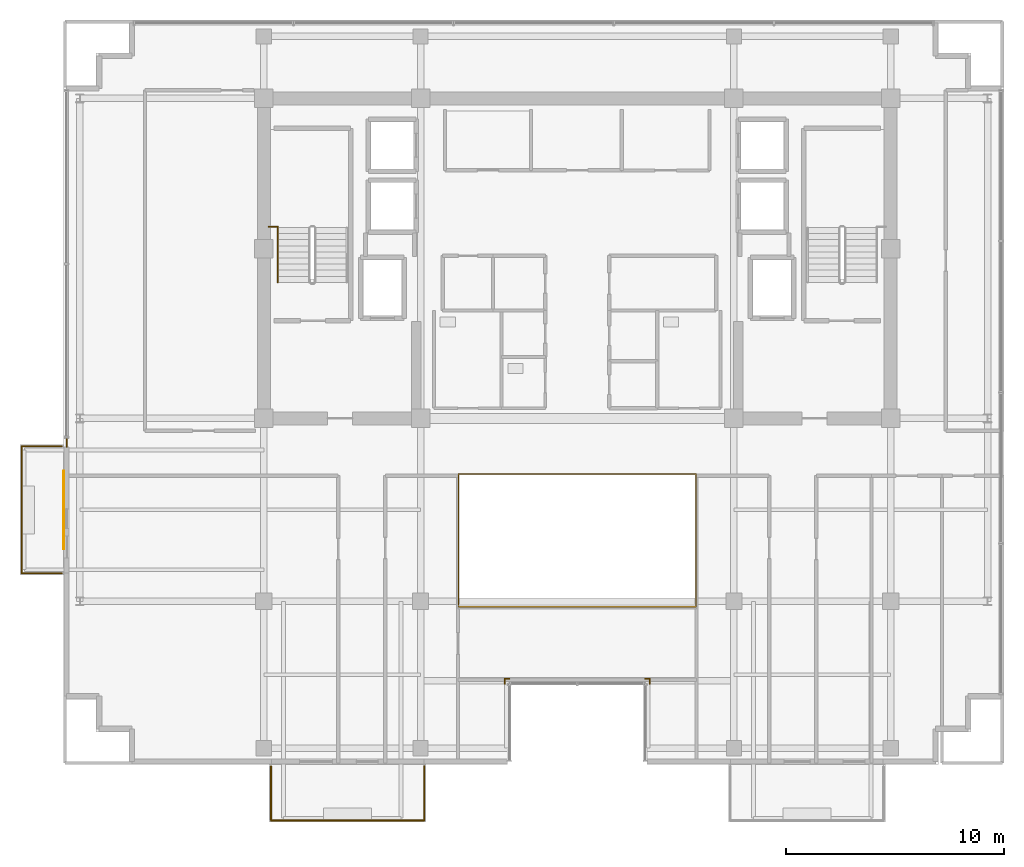
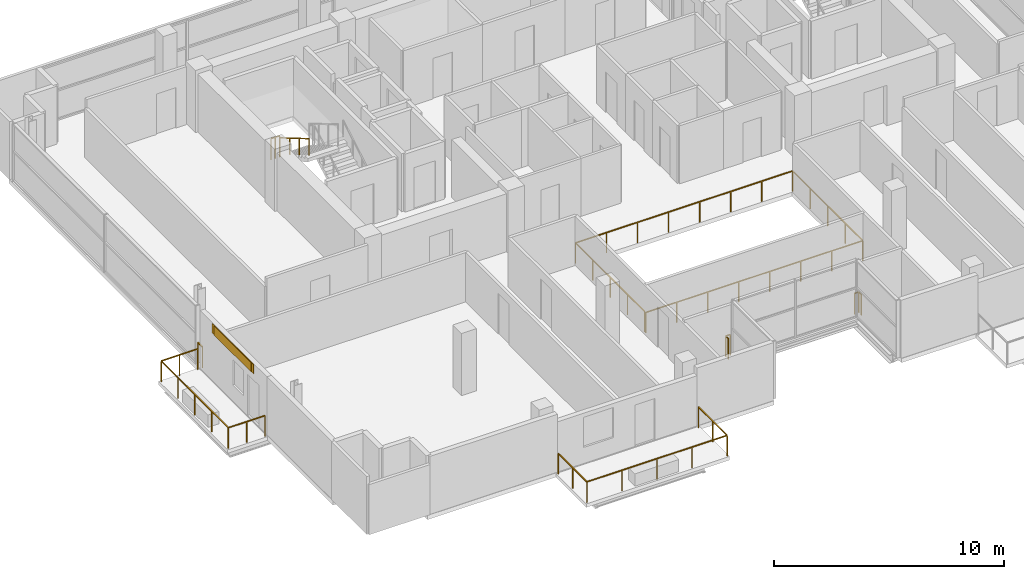
# One storey, part 19 of 22: 10 railings, 1 covering, 1 shading device.
"""IFC4 building model written with IfcOpenShell, lengths in metres."""

from ifc_helpers import new_model, si_unit, direction, frame, origin, origin_2d, place, context, subcontext, project, spatial, rectangle, extrude, source, transform, mapped, material, layer, layer_set, type_object, element, save


model = new_model("IFC4")

# Units and contexts
model_context = context("Model", 3, precision=1e-05, world=origin(), true_north=direction((0.0, 1.0)))
body_context = subcontext(model_context, "Body", "Model", "MODEL_VIEW")
ifc_project = project(units=[si_unit("LENGTHUNIT", "METRE"), si_unit("AREAUNIT", "SQUARE_METRE"), si_unit("VOLUMEUNIT", "CUBIC_METRE"), si_unit("PLANEANGLEUNIT", "RADIAN"), si_unit("MASSUNIT", "GRAM", prefix="KILO")], contexts=[model_context])

# Site, building, storey
site_placement = place(None, origin())
site = spatial("IfcSite", under=ifc_project, at=site_placement, CompositionType="ELEMENT")
building_placement = place(site_placement, origin())
building = spatial("IfcBuilding", under=site, at=building_placement, Name="Zarnakvel Exchange Tower", CompositionType="ELEMENT")
storey_placement = place(building_placement, frame((0.0, 0.0, 222.10009765625)))
storey = spatial("IfcBuildingStorey", under=building, at=storey_placement, Name="L62", CompositionType="ELEMENT", Elevation=222.10009765625)

# Railings
ifc_material_1 = material(Name="Architectural Bronze Anodised Aluminium", Category="aluminium")
railing_type_1 = type_object("IfcRailingType", Name="GR-02", PredefinedType="GUARDRAIL", material=ifc_material_1)
railing_1_placement = place(storey_placement, frame((-14.070068359375, -17.179931640625, -0.03515625)))
element("IfcRailing", 1, at=railing_1_placement, inside=storey, type_object=railing_type_1, Name="L62 Balcony Guardrail BAL-L62-SW", PredefinedType="GUARDRAIL", context=body_context, shape_type="SweptSolid", body=[
    extrude(rectangle(XDim=0.048095703125, YDim=0.048095703125, at=origin_2d()), frame((0.0, 0.0, 1.09619140625), z_axis=(0.0, -1.0, 0.0), x_axis=(1.0, 0.0, 0.0)), (0.0, 0.0, 1.0), 2.489990234375),
    extrude(rectangle(XDim=0.048095703125, YDim=0.048095703125, at=origin_2d()), frame((0.0, -2.489990234375, 1.09619140625), z_axis=(1.0, 0.0, 0.0), x_axis=(0.0, 1.0, 0.0)), (0.0, 0.0, 1.0), 7.0400390625),
    extrude(rectangle(XDim=0.048095703125, YDim=0.048095703125, at=origin_2d()), frame((7.0400390625, -2.489990234375, 1.09619140625), z_axis=(0.0, 1.0, 0.0), x_axis=(-1.0, 0.0, 0.0)), (0.0, 0.0, 1.0), 2.489990234375),
    extrude(rectangle(XDim=0.0419921875, YDim=0.0419921875, at=origin_2d()), origin(), (0.0, 0.0, 1.0), 1.072021484375),
    extrude(rectangle(XDim=0.0419921875, YDim=0.0419921875, at=origin_2d()), frame((0.0, -1.2451171875, 0.0)), (0.0, 0.0, 1.0), 1.072021484375),
    extrude(rectangle(XDim=0.0419921875, YDim=0.0419921875, at=origin_2d()), frame((0.0, -2.489990234375, 0.0)), (0.0, 0.0, 1.0), 1.072021484375),
    extrude(rectangle(XDim=0.0419921875, YDim=0.0419921875, at=origin_2d()), frame((1.760009765625, -2.489990234375, 0.0)), (0.0, 0.0, 1.0), 1.072021484375),
    extrude(rectangle(XDim=0.0419921875, YDim=0.0419921875, at=origin_2d()), frame((3.52001953125, -2.489990234375, 0.0)), (0.0, 0.0, 1.0), 1.072021484375),
    extrude(rectangle(XDim=0.0419921875, YDim=0.0419921875, at=origin_2d()), frame((5.280029296875, -2.489990234375, 0.0)), (0.0, 0.0, 1.0), 1.072021484375),
    extrude(rectangle(XDim=0.0419921875, YDim=0.0419921875, at=origin_2d()), frame((7.0400390625, -2.489990234375, 0.0)), (0.0, 0.0, 1.0), 1.072021484375),
    extrude(rectangle(XDim=0.0419921875, YDim=0.0419921875, at=origin_2d()), frame((7.0400390625, -1.2451171875, 0.0)), (0.0, 0.0, 1.0), 1.072021484375),
    extrude(rectangle(XDim=0.0419921875, YDim=0.0419921875, at=origin_2d()), frame((7.0400390625, 0.0, 0.0)), (0.0, 0.0, 1.0), 1.072021484375),
])
railing_2_placement = place(storey_placement, frame((-23.679931640625, -8.320068359375, -0.03515625)))
element("IfcRailing", 2, at=railing_2_placement, inside=storey, type_object=railing_type_1, Name="L62 Balcony Guardrail BAL-L62-W", PredefinedType="GUARDRAIL", context=body_context, shape_type="SweptSolid", body=[
    extrude(rectangle(XDim=0.048095703125, YDim=0.048095703125, at=origin_2d()), frame((0.0, 0.0, 1.09619140625), z_axis=(-1.0, 0.0, 0.0), x_axis=(0.0, -1.0, 0.0)), (0.0, 0.0, 1.0), 1.840087890625),
    extrude(rectangle(XDim=0.048095703125, YDim=0.048095703125, at=origin_2d()), frame((-1.840087890625, 0.0, 1.09619140625), z_axis=(0.0, 1.0, 0.0), x_axis=(-1.0, 0.0, 0.0)), (0.0, 0.0, 1.0), 5.840087890625),
    extrude(rectangle(XDim=0.048095703125, YDim=0.048095703125, at=origin_2d()), frame((-1.840087890625, 5.840087890625, 1.09619140625), z_axis=(1.0, 0.0, 0.0), x_axis=(0.0, 1.0, 0.0)), (0.0, 0.0, 1.0), 1.840087890625),
    extrude(rectangle(XDim=0.0419921875, YDim=0.0419921875, at=origin_2d()), origin(), (0.0, 0.0, 1.0), 1.072021484375),
    extrude(rectangle(XDim=0.0419921875, YDim=0.0419921875, at=origin_2d()), frame((-0.919921875, 0.0, 0.0)), (0.0, 0.0, 1.0), 1.072021484375),
    extrude(rectangle(XDim=0.0419921875, YDim=0.0419921875, at=origin_2d()), frame((-1.840087890625, 0.0, 0.0)), (0.0, 0.0, 1.0), 1.072021484375),
    extrude(rectangle(XDim=0.0419921875, YDim=0.0419921875, at=origin_2d()), frame((-1.840087890625, 1.4599609375, 0.0)), (0.0, 0.0, 1.0), 1.072021484375),
    extrude(rectangle(XDim=0.0419921875, YDim=0.0419921875, at=origin_2d()), frame((-1.840087890625, 2.919921875, 0.0)), (0.0, 0.0, 1.0), 1.072021484375),
    extrude(rectangle(XDim=0.0419921875, YDim=0.0419921875, at=origin_2d()), frame((-1.840087890625, 4.380126953125, 0.0)), (0.0, 0.0, 1.0), 1.072021484375),
    extrude(rectangle(XDim=0.0419921875, YDim=0.0419921875, at=origin_2d()), frame((-1.840087890625, 5.840087890625, 0.0)), (0.0, 0.0, 1.0), 1.072021484375),
    extrude(rectangle(XDim=0.0419921875, YDim=0.0419921875, at=origin_2d()), frame((-0.919921875, 5.840087890625, 0.0)), (0.0, 0.0, 1.0), 1.072021484375),
    extrude(rectangle(XDim=0.0419921875, YDim=0.0419921875, at=origin_2d()), frame((0.0, 5.840087890625, 0.0)), (0.0, 0.0, 1.0), 1.072021484375),
])
railing_3_placement = place(storey_placement, frame((-23.4599609375, -2.5, 0.0)))
element("IfcRailing", 3, at=railing_3_placement, inside=storey, type_object=railing_type_1, Name="L62 Corner Spandrel Balustrade #2", PredefinedType="GUARDRAIL", context=body_context, shape_type="SweptSolid", body=[
    extrude(rectangle(XDim=0.048095703125, YDim=0.048095703125, at=origin_2d()), frame((0.0, 0.0, 1.09619140625), z_axis=(0.0, 1.0, 0.0), x_axis=(-1.0, 0.0, 0.0)), (0.0, 0.0, 1.0), 0.39990234375),
    extrude(rectangle(XDim=0.0419921875, YDim=0.0419921875, at=origin_2d()), origin(), (0.0, 0.0, 1.0), 1.072021484375),
    extrude(rectangle(XDim=0.0419921875, YDim=0.0419921875, at=origin_2d()), frame((0.0, 0.39990234375, 0.0)), (0.0, 0.0, 1.0), 1.072021484375),
])
railing_4_placement = place(storey_placement, frame((3.340087890625, -13.3798828125, 0.0)))
element("IfcRailing", 4, at=railing_4_placement, inside=storey, type_object=railing_type_1, Name="L62 Corner Spandrel Balustrade #17", PredefinedType="GUARDRAIL", context=body_context, shape_type="SweptSolid", body=[
    extrude(rectangle(XDim=0.048095703125, YDim=0.048095703125, at=origin_2d()), frame((0.0, 0.0, 1.09619140625), z_axis=(0.0, 1.0, 0.0), x_axis=(-1.0, 0.0, 0.0)), (0.0, 0.0, 1.0), 0.219970703125),
    extrude(rectangle(XDim=0.0419921875, YDim=0.0419921875, at=origin_2d()), origin(), (0.0, 0.0, 1.0), 1.072021484375),
    extrude(rectangle(XDim=0.0419921875, YDim=0.0419921875, at=origin_2d()), frame((0.0, 0.219970703125, 0.0)), (0.0, 0.0, 1.0), 1.072021484375),
])
for number, where, name in (
    (5, (3.340087890625, -13.159912109375, 0.0), "L62 Corner Spandrel Balustrade #18"),
    (6, (-3.1201171875, -13.159912109375, 0.0), "L62 Corner Spandrel Balustrade #19"),
):
    element("IfcRailing", number, at=place(storey_placement, frame(where)), inside=storey, type_object=railing_type_1, Name=name, PredefinedType="GUARDRAIL", context=body_context, shape_type="SweptSolid", body=[
        extrude(rectangle(XDim=0.048095703125, YDim=0.048095703125, at=origin_2d()), frame((0.0, 0.0, 1.09619140625), z_axis=(-1.0, 0.0, 0.0), x_axis=(0.0, -1.0, 0.0)), (0.0, 0.0, 1.0), 0.219970703125),
        extrude(rectangle(XDim=0.0419921875, YDim=0.0419921875, at=origin_2d()), origin(), (0.0, 0.0, 1.0), 1.072021484375),
        extrude(rectangle(XDim=0.0419921875, YDim=0.0419921875, at=origin_2d()), frame((-0.219970703125, 0.0, 0.0)), (0.0, 0.0, 1.0), 1.072021484375),
    ])
railing_5_placement = place(storey_placement, frame((-3.340087890625, -13.159912109375, 0.0)))
element("IfcRailing", 7, at=railing_5_placement, inside=storey, type_object=railing_type_1, Name="L62 Corner Spandrel Balustrade #20", PredefinedType="GUARDRAIL", context=body_context, shape_type="SweptSolid", body=[
    extrude(rectangle(XDim=0.048095703125, YDim=0.048095703125, at=origin_2d()), frame((0.0, 0.0, 1.09619140625), z_axis=(0.0, -1.0, 0.0), x_axis=(1.0, 0.0, 0.0)), (0.0, 0.0, 1.0), 0.219970703125),
    extrude(rectangle(XDim=0.0419921875, YDim=0.0419921875, at=origin_2d()), origin(), (0.0, 0.0, 1.0), 1.072021484375),
    extrude(rectangle(XDim=0.0419921875, YDim=0.0419921875, at=origin_2d()), frame((0.0, -0.219970703125, 0.0)), (0.0, 0.0, 1.0), 1.072021484375),
])
railing_type_2 = type_object("IfcRailingType", Name="GR-03", PredefinedType="GUARDRAIL", material=ifc_material_1)
railing_6_placement = place(storey_placement, frame((-5.449951171875, -9.85009765625, 0.0)))
element("IfcRailing", 8, at=railing_6_placement, inside=storey, type_object=railing_type_2, Name="L62 Atrium Void Perimeter Balustrade", PredefinedType="GUARDRAIL", context=body_context, shape_type="SweptSolid", body=[
    extrude(rectangle(XDim=0.048095703125, YDim=0.048095703125, at=origin_2d()), frame((0.0, 0.0, 1.076171875), z_axis=(1.0, 0.0, 0.0), x_axis=(0.0, 1.0, 0.0)), (0.0, 0.0, 1.0), 10.89990234375),
    extrude(rectangle(XDim=0.048095703125, YDim=0.048095703125, at=origin_2d()), frame((10.89990234375, 0.0, 1.076171875), z_axis=(0.0, 1.0, 0.0), x_axis=(-1.0, 0.0, 0.0)), (0.0, 0.0, 1.0), 6.10009765625),
    extrude(rectangle(XDim=0.048095703125, YDim=0.048095703125, at=origin_2d()), frame((10.89990234375, 6.10009765625, 1.076171875), z_axis=(-1.0, 0.0, 0.0), x_axis=(0.0, -1.0, 0.0)), (0.0, 0.0, 1.0), 10.89990234375),
    extrude(rectangle(XDim=0.048095703125, YDim=0.048095703125, at=origin_2d()), frame((0.0, 6.10009765625, 1.076171875), z_axis=(0.0, -1.0, 0.0), x_axis=(1.0, 0.0, 0.0)), (0.0, 0.0, 1.0), 6.02001953125),
    extrude(rectangle(XDim=0.0419921875, YDim=0.0419921875, at=origin_2d()), origin(), (0.0, 0.0, 1.0), 1.052001953125),
    extrude(rectangle(XDim=0.0419921875, YDim=0.0419921875, at=origin_2d()), frame((1.55712890625, 0.0, 0.0)), (0.0, 0.0, 1.0), 1.052001953125),
    extrude(rectangle(XDim=0.0419921875, YDim=0.0419921875, at=origin_2d()), frame((3.1142578125, 0.0, 0.0)), (0.0, 0.0, 1.0), 1.052001953125),
    extrude(rectangle(XDim=0.0419921875, YDim=0.0419921875, at=origin_2d()), frame((4.67138671875, 0.0, 0.0)), (0.0, 0.0, 1.0), 1.052001953125),
    extrude(rectangle(XDim=0.0419921875, YDim=0.0419921875, at=origin_2d()), frame((6.228515625, 0.0, 0.0)), (0.0, 0.0, 1.0), 1.052001953125),
    extrude(rectangle(XDim=0.0419921875, YDim=0.0419921875, at=origin_2d()), frame((7.78564453125, 0.0, 0.0)), (0.0, 0.0, 1.0), 1.052001953125),
    extrude(rectangle(XDim=0.0419921875, YDim=0.0419921875, at=origin_2d()), frame((9.3427734375, 0.0, 0.0)), (0.0, 0.0, 1.0), 1.052001953125),
    extrude(rectangle(XDim=0.0419921875, YDim=0.0419921875, at=origin_2d()), frame((10.89990234375, 0.0, 0.0)), (0.0, 0.0, 1.0), 1.052001953125),
    extrude(rectangle(XDim=0.0419921875, YDim=0.0419921875, at=origin_2d()), frame((10.89990234375, 1.52490234375, 0.0)), (0.0, 0.0, 1.0), 1.052001953125),
    extrude(rectangle(XDim=0.0419921875, YDim=0.0419921875, at=origin_2d()), frame((10.89990234375, 3.050048828125, 0.0)), (0.0, 0.0, 1.0), 1.052001953125),
    extrude(rectangle(XDim=0.0419921875, YDim=0.0419921875, at=origin_2d()), frame((10.89990234375, 4.5751953125, 0.0)), (0.0, 0.0, 1.0), 1.052001953125),
    extrude(rectangle(XDim=0.0419921875, YDim=0.0419921875, at=origin_2d()), frame((10.89990234375, 6.10009765625, 0.0)), (0.0, 0.0, 1.0), 1.052001953125),
    extrude(rectangle(XDim=0.0419921875, YDim=0.0419921875, at=origin_2d()), frame((9.3427734375, 6.10009765625, 0.0)), (0.0, 0.0, 1.0), 1.052001953125),
    extrude(rectangle(XDim=0.0419921875, YDim=0.0419921875, at=origin_2d()), frame((7.78564453125, 6.10009765625, 0.0)), (0.0, 0.0, 1.0), 1.052001953125),
    extrude(rectangle(XDim=0.0419921875, YDim=0.0419921875, at=origin_2d()), frame((6.228515625, 6.10009765625, 0.0)), (0.0, 0.0, 1.0), 1.052001953125),
    extrude(rectangle(XDim=0.0419921875, YDim=0.0419921875, at=origin_2d()), frame((4.67138671875, 6.10009765625, 0.0)), (0.0, 0.0, 1.0), 1.052001953125),
    extrude(rectangle(XDim=0.0419921875, YDim=0.0419921875, at=origin_2d()), frame((3.1142578125, 6.10009765625, 0.0)), (0.0, 0.0, 1.0), 1.052001953125),
    extrude(rectangle(XDim=0.0419921875, YDim=0.0419921875, at=origin_2d()), frame((1.55712890625, 6.10009765625, 0.0)), (0.0, 0.0, 1.0), 1.052001953125),
    extrude(rectangle(XDim=0.0419921875, YDim=0.0419921875, at=origin_2d()), frame((0.0, 6.10009765625, 0.0)), (0.0, 0.0, 1.0), 1.052001953125),
    extrude(rectangle(XDim=0.0419921875, YDim=0.0419921875, at=origin_2d()), frame((0.0, 4.59521484375, 0.0)), (0.0, 0.0, 1.0), 1.052001953125),
    extrude(rectangle(XDim=0.0419921875, YDim=0.0419921875, at=origin_2d()), frame((0.0, 3.090087890625, 0.0)), (0.0, 0.0, 1.0), 1.052001953125),
    extrude(rectangle(XDim=0.0419921875, YDim=0.0419921875, at=origin_2d()), frame((0.0, 1.5849609375, 0.0)), (0.0, 0.0, 1.0), 1.052001953125),
    extrude(rectangle(XDim=0.0419921875, YDim=0.0419921875, at=origin_2d()), frame((0.0, 0.080078125, 0.0)), (0.0, 0.0, 1.0), 1.052001953125),
])
ifc_material_2 = material(Name="Brushed Stainless Steel", Category="steel")
railing_type_3 = type_object("IfcRailingType", Name="HR-01", PredefinedType="HANDRAIL", material=ifc_material_2)
railing_7_placement = place(storey_placement, frame((-13.75, 7.570068359375, 1.81494140625)))
element("IfcRailing", 9, at=railing_7_placement, inside=storey, type_object=railing_type_3, Name="L62 ST-01 stair handrail 2", PredefinedType="HANDRAIL", context=body_context, shape_type="SweptSolid", body=[
    extrude(rectangle(XDim=0.048095703125, YDim=0.048095703125, at=origin_2d()), frame((0.0, 0.0, 0.8759765625), z_axis=(0.0, -0.861560626758, 0.507654692109), x_axis=(1.0, 0.0, 0.0)), (0.0, 0.0, 1.0), 2.925048828125),
    extrude(rectangle(XDim=0.0419921875, YDim=0.0419921875, at=origin_2d()), origin(), (0.0, 0.0, 1.0), 0.851806640625),
    extrude(rectangle(XDim=0.0419921875, YDim=0.0419921875, at=origin_2d()), frame((0.0, -0.840087890625, 0.494873046875)), (0.0, 0.0, 1.0), 0.851806640625),
    extrude(rectangle(XDim=0.0419921875, YDim=0.0419921875, at=origin_2d()), frame((0.0, -1.679931640625, 0.989990234375)), (0.0, 0.0, 1.0), 0.851806640625),
    extrude(rectangle(XDim=0.0419921875, YDim=0.0419921875, at=origin_2d()), frame((0.0, -2.52001953125, 1.48486328125)), (0.0, 0.0, 1.0), 0.851806640625),
])
railing_type_4 = type_object("IfcRailingType", Name="SG-01", PredefinedType="GUARDRAIL", material=ifc_material_1)
railing_8_placement = place(storey_placement, frame((-14.179931640625, 7.610107421875, 1.64990234375)))
element("IfcRailing", 10, at=railing_8_placement, inside=storey, type_object=railing_type_4, Name="L62 ST-01 Landing Slot Guardrail", PredefinedType="GUARDRAIL", context=body_context, shape_type="SweptSolid", body=[
    extrude(rectangle(XDim=0.048095703125, YDim=0.048095703125, at=origin_2d()), frame((0.0, 0.0, 1.1259765625), z_axis=(1.0, 0.0, 0.0), x_axis=(0.0, 1.0, 0.0)), (0.0, 0.0, 1.0), 0.429931640625),
    extrude(rectangle(XDim=0.0419921875, YDim=0.0419921875, at=origin_2d()), origin(), (0.0, 0.0, 1.0), 1.101806640625),
    extrude(rectangle(XDim=0.0419921875, YDim=0.0419921875, at=origin_2d()), frame((0.21484375, 0.0, 0.0)), (0.0, 0.0, 1.0), 1.101806640625),
    extrude(rectangle(XDim=0.0419921875, YDim=0.0419921875, at=origin_2d()), frame((0.429931640625, 0.0, 0.0)), (0.0, 0.0, 1.0), 1.101806640625),
])

# Shading device
ifc_material_3 = material(Name="Perforated Architectural Bronze Screen", Category="aluminium")
ifc_layer_1 = layer(ifc_material_3, 0.044921875)
ifc_layer_set_1 = layer_set([ifc_layer_1], Name="Perforated Architectural Bronze Screen")
shading_device_type = type_object("IfcShadingDeviceType", Name="SS-01", PredefinedType="JALOUSIE", material=ifc_layer_set_1)
shared_shape_1 = source(origin(), body_context, "Body", "SweptSolid", [
    extrude(rectangle(XDim=3.199951171875, YDim=0.044921875, at=origin_2d()), origin(), (0.0, 0.0, 1.0), 0.4951171875),
])
shading_device_placement = place(storey_placement, frame((-23.6005859375, -5.39990234375, 2.559814453125), z_axis=(0.0, 0.0, 1.0), x_axis=(0.0, 1.0, 0.0)))
element("IfcShadingDevice", 11, at=shading_device_placement, inside=storey, type_object=shading_device_type, Name="L62 Bronze Solar Shading Screen SS-01", PredefinedType="JALOUSIE", context=body_context, shape_type="MappedRepresentation", body=[
    mapped(shared_shape_1, transform((0.0, 0.0, 0.0), x_axis=(1.0, 0.0, 0.0), y_axis=(0.0, 1.0, 0.0), z_axis=(0.0, 0.0, 1.0), scale=1.0)),
])

# Covering
ifc_material_4 = material(Name="Glazed Turquoise Ceramic Architectural Tile", Category="ceramic")
ifc_layer_2 = layer(ifc_material_4, 0.028076171875)
ifc_layer_set_2 = layer_set([ifc_layer_2], Name="Glazed Turquoise Ceramic Architectural Tile")
covering_type = type_object("IfcCoveringType", Name="CL-01", PredefinedType="CLADDING", material=ifc_layer_set_2)
shared_shape_2 = source(origin(), body_context, "Body", "SweptSolid", [
    extrude(rectangle(XDim=3.60009765625, YDim=0.028076171875, at=origin_2d()), origin(), (0.0, 0.0, 1.0), 0.4951171875),
])
covering_placement = place(storey_placement, frame((-23.592041015625, -5.39990234375, 2.559814453125), z_axis=(0.0, 0.0, 1.0), x_axis=(0.0, 1.0, 0.0)))
element("IfcCovering", 12, at=covering_placement, inside=storey, type_object=covering_type, Name="L62 Ceramic Spandrel Tilework CL-01", PredefinedType="CLADDING", context=body_context, shape_type="MappedRepresentation", body=[
    mapped(shared_shape_2, transform((0.0, 0.0, 0.0), x_axis=(1.0, 0.0, 0.0), y_axis=(0.0, 1.0, 0.0), z_axis=(0.0, 0.0, 1.0), scale=1.0)),
])

save(model, "model.ifc")
